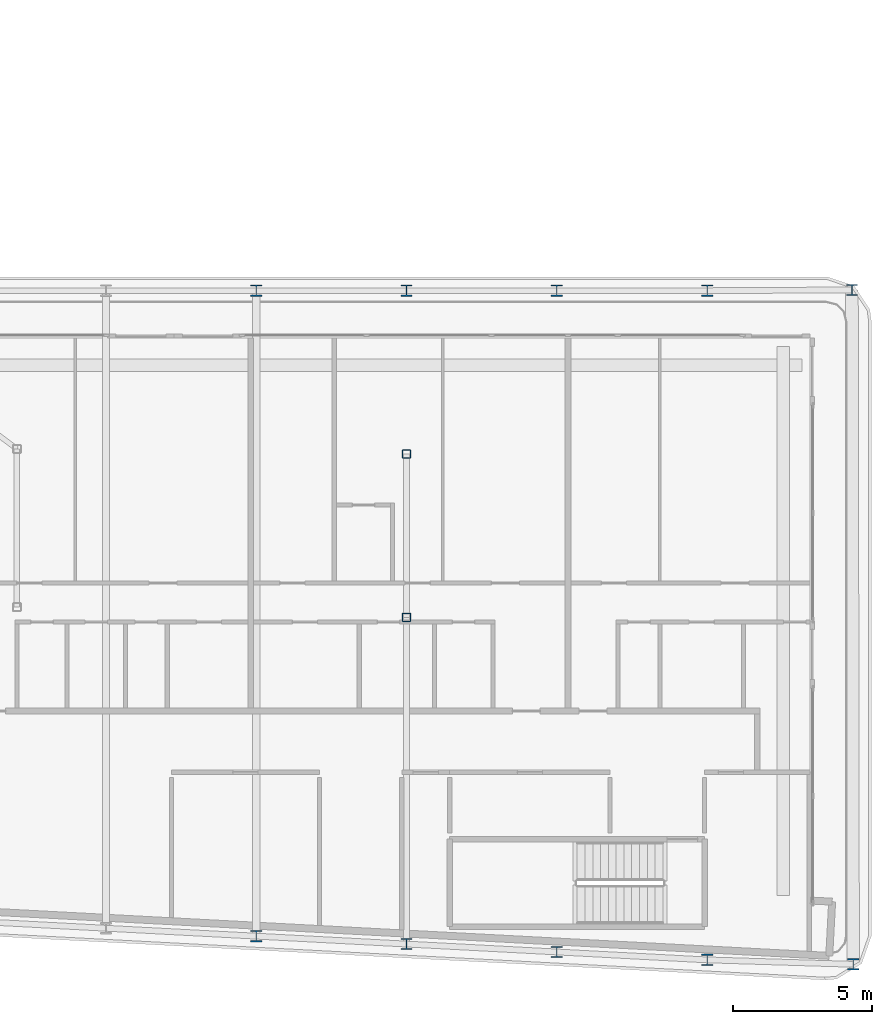
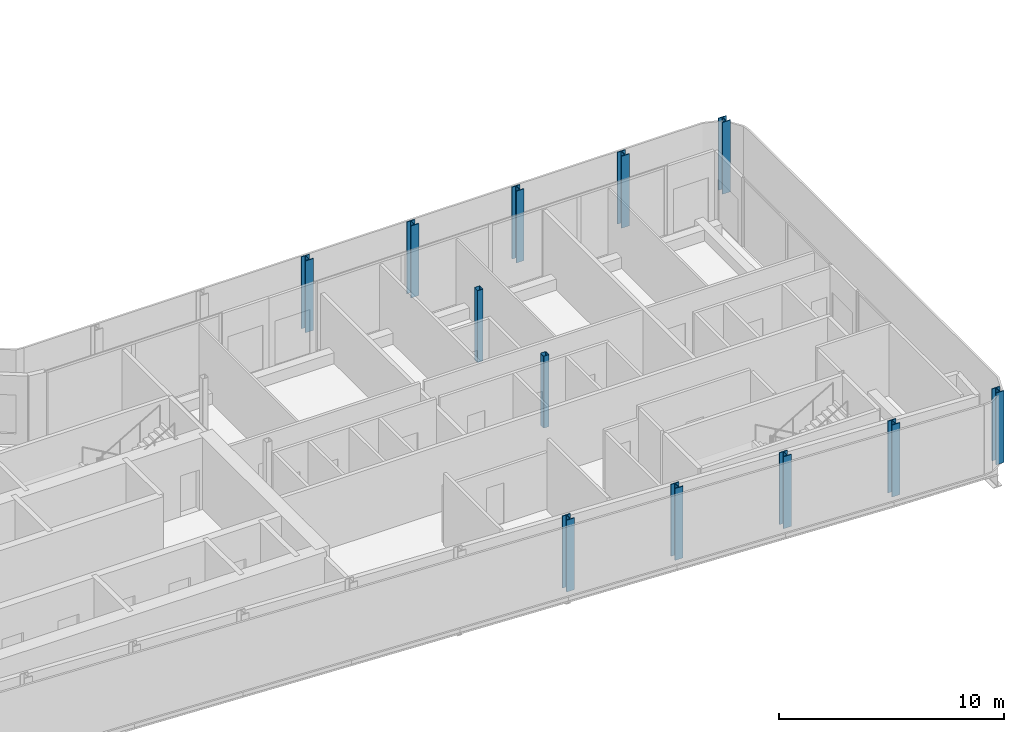
# One storey, part 2 of 23: 12 columns.
"""IFC4 building model written with IfcOpenShell, lengths in metres."""

from ifc_helpers import new_model, si_unit, direction, frame, origin, origin_2d, place, context, subcontext, project, spatial, hollow_rectangle, i_section, extrude, material, material_profile, profile_set, type_object, element, save


model = new_model("IFC4")

# Units and contexts
model_context = context("Model", 3, precision=1e-05, world=origin(), true_north=direction((0.0, 1.0)))
body_context = subcontext(model_context, "Body", "Model", "MODEL_VIEW")
ifc_project = project(units=[si_unit("LENGTHUNIT", "METRE"), si_unit("AREAUNIT", "SQUARE_METRE"), si_unit("VOLUMEUNIT", "CUBIC_METRE"), si_unit("PLANEANGLEUNIT", "RADIAN"), si_unit("MASSUNIT", "GRAM", prefix="KILO")], contexts=[model_context])

# Site, building, storey
site_placement = place(None, origin())
site = spatial("IfcSite", under=ifc_project, at=site_placement, CompositionType="ELEMENT")
building_placement = place(site_placement, origin())
building = spatial("IfcBuilding", under=site, at=building_placement, Name="Kheshtan School and Residences Tower", CompositionType="ELEMENT")
storey_placement = place(building_placement, frame((0.0, 0.0, 247.39990234375)))
storey = spatial("IfcBuildingStorey", under=building, at=storey_placement, Name="L58", CompositionType="ELEMENT", Elevation=247.39990234375)

# Columns
ifc_material_1 = material(Name="Steel ASTM A992 Grade 50", Category="steel")
ifc_material_profile_1 = material_profile(ifc_material_1, i_section(OverallWidth=0.404052734375, OverallDepth=0.406982421875, WebThickness=0.027099609375, FlangeThickness=0.043701171875, FilletRadius=0.01220703125, at=origin_2d()), Name="W360x347")
ifc_profile_set_1 = profile_set([ifc_material_profile_1], Name="Steel ASTM A992 Grade 50")
column_type_1 = type_object("IfcColumnType", Name="Column C4 W360x347 ASTM A992 Grade 50", PredefinedType="COLUMN", material=ifc_profile_set_1)
for number, where, z_axis, x_axis, name in (
    (1, (85.243896484375, 21.39990234375, 0.0), (0.0, 0.0, 1.0), (1.0, 0.0, 0.0), "Column C011"),
    (2, (80.0, 21.55810546875, 0.0), (0.0, 0.0, 1.0), (1.0, 0.0, 0.0), "Column C012"),
    (3, (74.60009765625, 21.843017578125, 0.0), (0.0, 0.0, 1.0), (1.0, 0.0, 0.0), "Column C013"),
    (4, (69.199951171875, 22.126953125, 0.0), (0.0, 0.0, 1.0), (1.0, 0.0, 0.0), "Column C014"),
    (5, (63.800048828125, 22.410888671875, 0.0), (0.0, 0.0, 1.0), (1.0, 0.0, 0.0), "Column C016"),
    (6, (63.800048828125, 45.60009765625, 0.0), (0.0, 0.0, 1.0), (1.0, 0.0, 0.0), "Column C063"),
    (7, (69.199951171875, 45.60009765625, 0.0), (0.0, 0.0, 1.0), (1.0, 0.0, 0.0), "Column C064"),
    (8, (74.60009765625, 45.60009765625, 0.0), (0.0, 0.0, 1.0), (1.0, 0.0, 0.0), "Column C065"),
    (9, (80.0, 45.60009765625, 0.0), (0.0, 0.0, 1.0), (1.0, 0.0, 0.0), "Column C066"),
    (10, (85.201904296875, 45.6279296875, 0.0), (0.0, 0.0, 1.0), (1.0, 0.0, 0.0), "Column C076"),
):
    element("IfcColumn", number, at=place(storey_placement, frame(where, z_axis=z_axis, x_axis=x_axis)), inside=storey, type_object=column_type_1, Name=name, PredefinedType="COLUMN", context=body_context, shape_type="SweptSolid", body=[
        extrude(i_section(OverallWidth=0.404052734375, OverallDepth=0.406982421875, WebThickness=0.027099609375, FlangeThickness=0.043701171875, FilletRadius=0.01220703125, at=origin_2d()), origin(), (0.0, 0.0, 1.0), 3.900146484375),
    ])
ifc_material_2 = material(Name="Steel ASTM A500 Grade C", Category="steel")
ifc_material_profile_2 = material_profile(ifc_material_2, hollow_rectangle(XDim=0.304931640625, YDim=0.304931640625, WallThickness=0.015869140625, InnerFilletRadius=0.015869140625, OuterFilletRadius=0.03173828125, at=origin_2d()), Name="HSS 305x305x15.9")
ifc_profile_set_2 = profile_set([ifc_material_profile_2], Name="Steel ASTM A500 Grade C")
column_type_2 = type_object("IfcColumnType", Name="Column IC2 HSS 305x305x15.9 ASTM A500 Grade C", PredefinedType="COLUMN", material=ifc_profile_set_2)
for number, where, z_axis, x_axis, name in (
    (11, (69.199951171875, 33.863037109375, 0.0), (0.0, 0.0, 1.0), (1.0, 0.0, 0.0), "Column C050"),
    (12, (69.199951171875, 39.73193359375, 0.0), (0.0, 0.0, 1.0), (1.0, 0.0, 0.0), "Column C054"),
):
    element("IfcColumn", number, at=place(storey_placement, frame(where, z_axis=z_axis, x_axis=x_axis)), inside=storey, type_object=column_type_2, Name=name, PredefinedType="COLUMN", context=body_context, shape_type="SweptSolid", body=[
        extrude(hollow_rectangle(XDim=0.304931640625, YDim=0.304931640625, WallThickness=0.015869140625, InnerFilletRadius=0.015869140625, OuterFilletRadius=0.03173828125, at=origin_2d()), origin(), (0.0, 0.0, 1.0), 3.900146484375),
    ])

save(model, "model.ifc")
